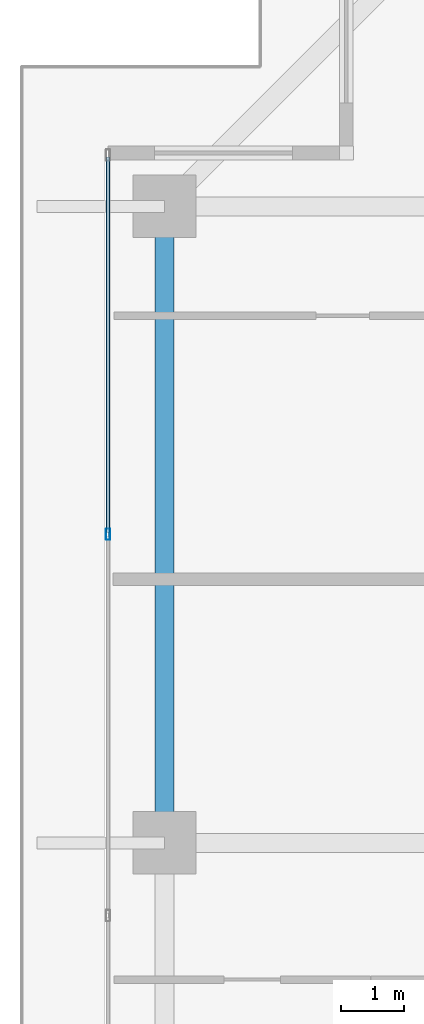
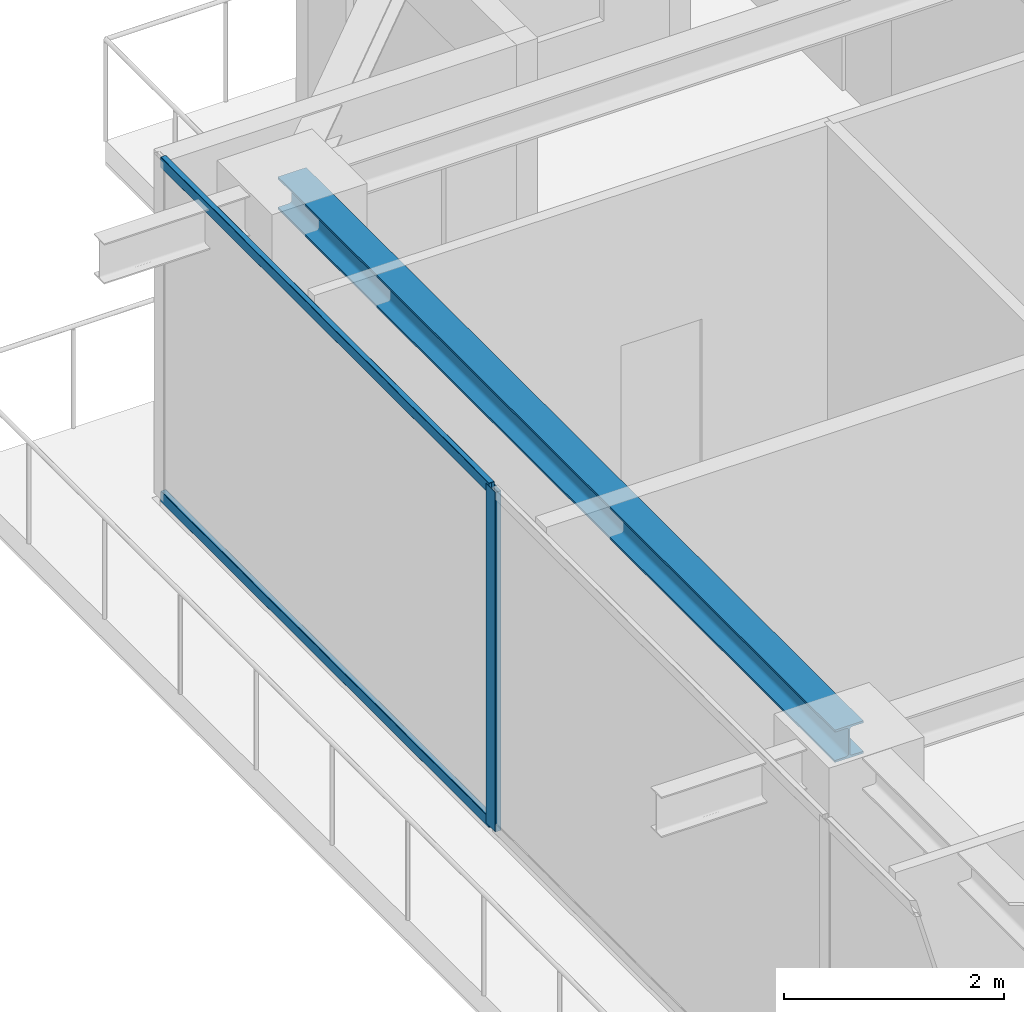
# One storey, part 19 of 42: 3 members, 1 beam, 1 element without a shape of its own.
"""IFC4 building model written with IfcOpenShell, lengths in metres."""

from ifc_helpers import new_model, si_unit, direction, frame, origin, origin_2d, place, context, subcontext, project, spatial, hollow_rectangle, i_section, extrude, source, transform, mapped, material, layer, layer_set, material_profile, profile_set, type_object, element, aggregate, save


model = new_model("IFC4")

# Units and contexts
model_context = context("Model", 3, precision=1e-05, world=origin(), true_north=direction((0.0, 1.0)))
body_context = subcontext(model_context, "Body", "Model", "MODEL_VIEW")
ifc_project = project(units=[si_unit("LENGTHUNIT", "METRE"), si_unit("AREAUNIT", "SQUARE_METRE"), si_unit("VOLUMEUNIT", "CUBIC_METRE"), si_unit("PLANEANGLEUNIT", "RADIAN"), si_unit("MASSUNIT", "GRAM", prefix="KILO")], contexts=[model_context])

# Site, building, storey
site_placement = place(None, origin())
site = spatial("IfcSite", under=ifc_project, at=site_placement, CompositionType="ELEMENT")
building_placement = place(site_placement, origin())
building = spatial("IfcBuilding", under=site, at=building_placement, Name="Serunith Strait Residences", CompositionType="ELEMENT")
storey_placement = place(building_placement, frame((0.0, 0.0, 297.5)))
storey = spatial("IfcBuildingStorey", under=building, at=storey_placement, Name="L74", CompositionType="ELEMENT", Elevation=297.5)

# Beam
ifc_material_1 = material(Name="Steel S355J2", Category="steel")
ifc_material_profile_1 = material_profile(ifc_material_1, i_section(OverallWidth=0.300048828125, OverallDepth=0.360107421875, WebThickness=0.012451171875, FlangeThickness=0.0224609375, FilletRadius=0.027099609375, at=origin_2d()), Name="HEB 360")
ifc_profile_set_1 = profile_set([ifc_material_profile_1], Name="Steel S355J2")
beam_type = type_object("IfcBeamType", Name="BM-HEB360", PredefinedType="BEAM", material=ifc_profile_set_1)
shared_shape_1 = source(origin(), body_context, "Body", "SweptSolid", [
    extrude(i_section(OverallWidth=0.300048828125, OverallDepth=0.360107421875, WebThickness=0.012451171875, FlangeThickness=0.0224609375, FilletRadius=0.027099609375, at=origin_2d()), origin(), (0.0, 0.0, 1.0), 10.150146484375),
])
beam_placement = place(storey_placement, frame((10.10009765625, 39.550048828125, 3.60693359375), z_axis=(0.0, -1.0, 0.0), x_axis=(1.0, 0.0, 0.0)))
element("IfcBeam", 1, at=beam_placement, inside=storey, type_object=beam_type, Name="L74 Perimeter Ring Beam 13", PredefinedType="BEAM", context=body_context, shape_type="MappedRepresentation", body=[
    mapped(shared_shape_1, transform((0.0, 0.0, 0.0), scale=1.0)),
])

# Curtain wall, members
ifc_material_2 = material(Name="Brushed Stainless-Silver Aluminium", Category="aluminium")
ifc_layer = layer(ifc_material_2, 0.199951171875, Name="Brushed Stainless-Silver Aluminium")
ifc_layer_set = layer_set([ifc_layer], Name="Brushed Stainless-Silver Aluminium")
curtain_wall_type = type_object("IfcCurtainWallType", Name="CW-SYS5", PredefinedType="NOTDEFINED", material=ifc_layer_set)
curtain_wall_placement = place(storey_placement, origin())
curtain_wall = element("IfcCurtainWall", 2, at=curtain_wall_placement, inside=storey, type_object=curtain_wall_type, Name="L74 W Unitised Fritted Curtain Wall", PredefinedType="NOTDEFINED")
ifc_material_profile_2 = material_profile(ifc_material_2, hollow_rectangle(XDim=0.06005859375, YDim=0.1201171875, WallThickness=0.00341796875, InnerFilletRadius=0.00537109375, OuterFilletRadius=0.0087890625, at=origin_2d()), Name="ALU 120x60x3.5")
ifc_profile_set_2 = profile_set([ifc_material_profile_2], Name="Brushed Stainless-Silver Aluminium")
member_type_1 = type_object("IfcMemberType", Name="CW-SYS5-TRAN", PredefinedType="USERDEFINED", material=ifc_profile_set_2)
shared_shape_2 = source(origin(), body_context, "Body", "SweptSolid", [
    extrude(hollow_rectangle(XDim=0.06005859375, YDim=0.1201171875, WallThickness=0.00341796875, InnerFilletRadius=0.00537109375, OuterFilletRadius=0.0087890625, at=origin_2d()), origin(), (0.0, 0.0, 1.0), 5.982421875),
])
member_1_placement = place(storey_placement, frame((9.199951171875, 40.3349609375, 0.030029296875), z_axis=(0.0, -1.0, 0.0), x_axis=(1.0, 0.0, 0.0)))
member_1 = element("IfcMember", 3, at=member_1_placement, type_object=member_type_1, Name="CW-5 transom 1.1", ObjectType="TRANSOM", PredefinedType="USERDEFINED", context=body_context, shape_type="MappedRepresentation", body=[
    mapped(shared_shape_2, transform((0.0, 0.0, 0.0), scale=1.0)),
])
member_2_placement = place(storey_placement, frame((9.199951171875, 40.3349609375, 3.7451171875), z_axis=(0.0, -1.0, 0.0), x_axis=(1.0, 0.0, 0.0)))
member_2 = element("IfcMember", 4, at=member_2_placement, type_object=member_type_1, Name="CW-5 transom 1.2", ObjectType="TRANSOM", PredefinedType="USERDEFINED", context=body_context, shape_type="MappedRepresentation", body=[
    mapped(shared_shape_2, transform((0.0, 0.0, 0.0), scale=1.0)),
])
ifc_material_profile_3 = material_profile(ifc_material_2, hollow_rectangle(XDim=0.06494140625, YDim=0.179931640625, WallThickness=0.00341796875, InnerFilletRadius=0.00537109375, OuterFilletRadius=0.0087890625, at=origin_2d()), Name="ALU 180x65x3.5")
ifc_profile_set_3 = profile_set([ifc_material_profile_3], Name="Brushed Stainless-Silver Aluminium")
member_type_2 = type_object("IfcMemberType", Name="CW-SYS5-MULL", PredefinedType="MULLION", material=ifc_profile_set_3)
shared_shape_3 = source(origin(), body_context, "Body", "SweptSolid", [
    extrude(hollow_rectangle(XDim=0.06494140625, YDim=0.179931640625, WallThickness=0.00341796875, InnerFilletRadius=0.00537109375, OuterFilletRadius=0.0087890625, at=origin_2d()), origin(), (0.0, 0.0, 1.0), 3.77490234375),
])
member_3_placement = place(storey_placement, frame((9.199951171875, 34.320068359375, 0.0), z_axis=(0.0, 0.0, 1.0), x_axis=(1.0, 0.0, 0.0)))
member_3 = element("IfcMember", 5, at=member_3_placement, type_object=member_type_2, Name="CW-5 mullion 2", PredefinedType="MULLION", context=body_context, shape_type="MappedRepresentation", body=[
    mapped(shared_shape_3, transform((0.0, 0.0, 0.0), scale=1.0)),
])
aggregate(curtain_wall, [member_3, member_1, member_2])

save(model, "model.ifc")
